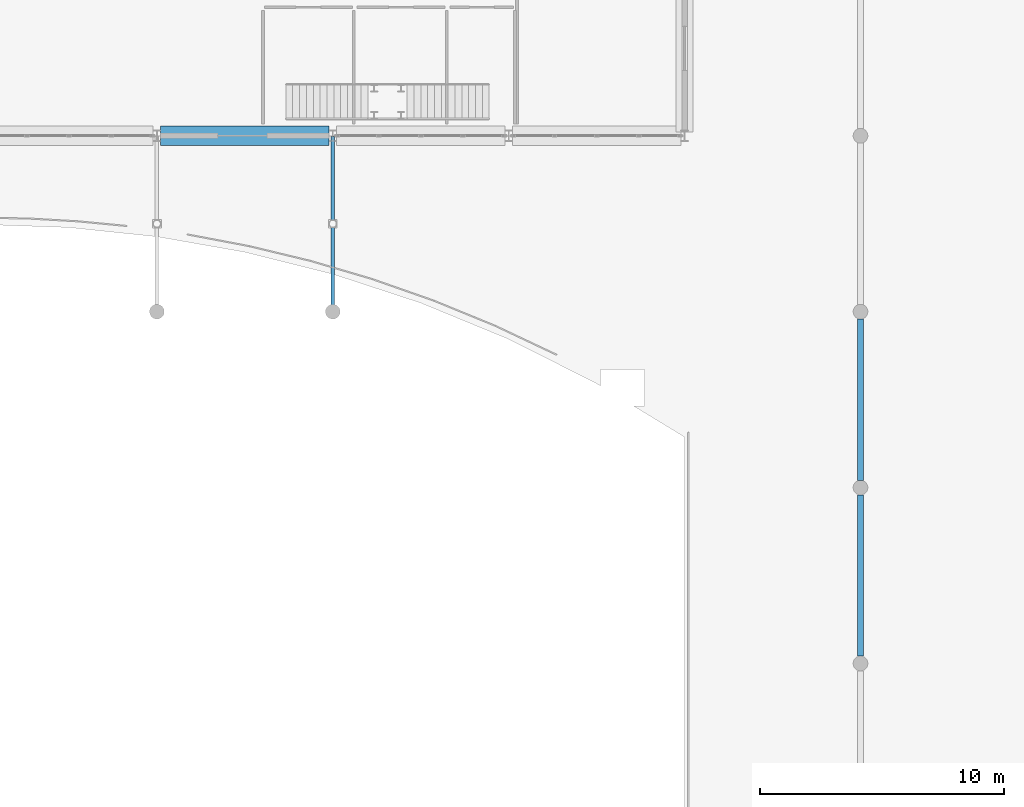
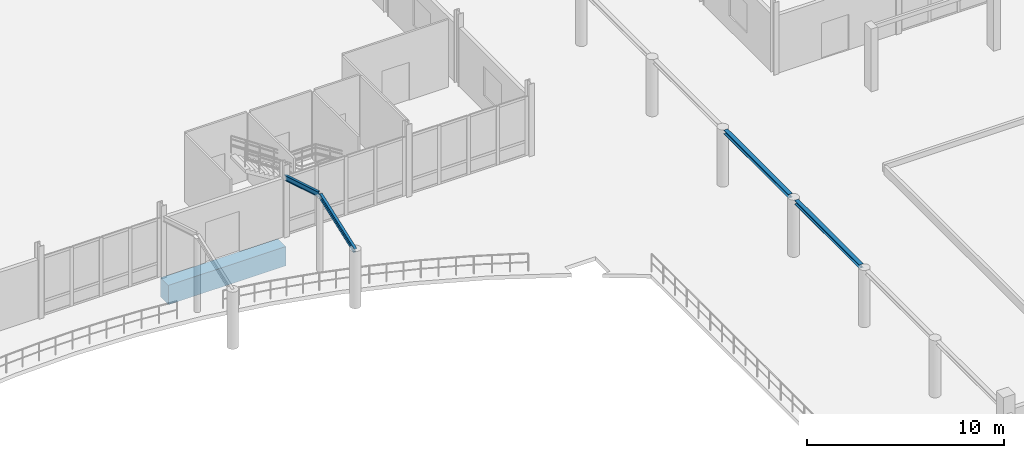
# One storey, part 41 of 139: 5 beams.
"""IFC4 building model written with IfcOpenShell, lengths in metres."""

from ifc_helpers import new_model, si_unit, direction, frame, origin, origin_2d, place, context, subcontext, project, spatial, rectangle, i_section, extrude, material, material_profile, profile_set, type_object, element, save


model = new_model("IFC4")

# Units and contexts
model_context = context("Model", 3, precision=1e-05, world=origin(), true_north=direction((0.0, 1.0)))
body_context = subcontext(model_context, "Body", "Model", "MODEL_VIEW")
ifc_project = project(units=[si_unit("LENGTHUNIT", "METRE"), si_unit("AREAUNIT", "SQUARE_METRE"), si_unit("VOLUMEUNIT", "CUBIC_METRE"), si_unit("PLANEANGLEUNIT", "RADIAN"), si_unit("MASSUNIT", "GRAM", prefix="KILO")], contexts=[model_context])

# Site, building, storey
site_placement = place(None, origin())
site = spatial("IfcSite", under=ifc_project, at=site_placement, CompositionType="ELEMENT")
building_placement = place(site_placement, origin())
building = spatial("IfcBuilding", under=site, at=building_placement, Name="Suanplinth Sawtooth Commons", CompositionType="ELEMENT")
storey_placement = place(building_placement, origin())
storey = spatial("IfcBuildingStorey", under=building, at=storey_placement, Name="L00", CompositionType="ELEMENT", Elevation=0.0)

# Beams
ifc_material_1 = material(Name="Concrete C40/50", Category="concrete")
ifc_material_profile_1 = material_profile(ifc_material_1, rectangle(XDim=0.800048828125, YDim=1.199951171875, at=origin_2d()), Name="RC-TG 800x1200")
ifc_profile_set_1 = profile_set([ifc_material_profile_1], Name="Concrete C40/50")
beam_type_1 = type_object("IfcBeamType", Name="B-01", PredefinedType="USERDEFINED", material=ifc_profile_set_1)
beam_1_placement = place(storey_placement, frame((93.75, 50.39990234375, -1.010009765625), z_axis=(1.0, 0.0, 0.0), x_axis=(0.0, 1.0, 0.0)))
element("IfcBeam", 1, at=beam_1_placement, inside=storey, type_object=beam_type_1, Name="BMX-L00-HALL-13-7", ObjectType="GIRDER", PredefinedType="USERDEFINED", context=body_context, shape_type="SweptSolid", body=[
    extrude(rectangle(XDim=0.800048828125, YDim=1.199951171875, at=origin_2d()), origin(), (0.0, 0.0, 1.0), 6.89990234375),
])
ifc_material_2 = material(Name="Steel S355JR", Category="steel")
ifc_material_profile_2 = material_profile(ifc_material_2, i_section(OverallWidth=0.14990234375, OverallDepth=0.300048828125, WebThickness=0.007080078125, FlangeThickness=0.0107421875, at=origin_2d()), Name="IPE 300")
ifc_profile_set_2 = profile_set([ifc_material_profile_2], Name="Steel S355JR")
beam_type_2 = type_object("IfcBeamType", Name="B-13", PredefinedType="BEAM", material=ifc_profile_set_2)
beam_2_placement = place(storey_placement, frame((100.800048828125, 43.199951171875, 3.39990234375), z_axis=(0.0, 0.939016081752, 0.343873229856), x_axis=(-1.0, 0.0, 0.0)))
element("IfcBeam", 2, at=beam_2_placement, inside=storey, type_object=beam_type_2, Name="Metro Portal Rafter S 15", PredefinedType="BEAM", context=body_context, shape_type="SweptSolid", body=[
    extrude(i_section(OverallWidth=0.14990234375, OverallDepth=0.300048828125, WebThickness=0.007080078125, FlangeThickness=0.0107421875, at=origin_2d()), origin(), (0.0, 0.0, 1.0), 3.780517578125),
])
beam_3_placement = place(storey_placement, frame((100.800048828125, 50.320068359375, 3.64990234375), z_axis=(0.0, -0.957135909973, 0.2896391718), x_axis=(1.0, 0.0, 0.0)))
element("IfcBeam", 3, at=beam_3_placement, inside=storey, type_object=beam_type_2, Name="Metro Portal Rafter N 15", PredefinedType="BEAM", context=body_context, shape_type="SweptSolid", body=[
    extrude(i_section(OverallWidth=0.14990234375, OverallDepth=0.300048828125, WebThickness=0.007080078125, FlangeThickness=0.0107421875, at=origin_2d()), origin(), (0.0, 0.0, 1.0), 3.62548828125),
])
ifc_material_profile_3 = material_profile(ifc_material_2, i_section(OverallWidth=0.239990234375, OverallDepth=0.22998046875, WebThickness=0.007568359375, FlangeThickness=0.011962890625, at=origin_2d()), Name="HEA 240")
ifc_profile_set_3 = profile_set([ifc_material_profile_3], Name="Steel S355JR")
beam_type_3 = type_object("IfcBeamType", Name="B-17", PredefinedType="BEAM", material=ifc_profile_set_3)
for number, where, z_axis, x_axis, name in (
    (4, (122.39990234375, 29.10009765625, 3.43505859375), (0.0, 1.0, 0.0), (-1.0, 0.0, 0.0), "BM-EBZ-SPINE-4"),
    (5, (122.39990234375, 36.300048828125, 3.43505859375), (0.0, 1.0, 0.0), (-1.0, 0.0, 0.0), "BM-EBZ-SPINE-5"),
):
    element("IfcBeam", number, at=place(storey_placement, frame(where, z_axis=z_axis, x_axis=x_axis)), inside=storey, type_object=beam_type_3, Name=name, PredefinedType="BEAM", context=body_context, shape_type="SweptSolid", body=[
        extrude(i_section(OverallWidth=0.239990234375, OverallDepth=0.22998046875, WebThickness=0.007568359375, FlangeThickness=0.011962890625, at=origin_2d()), origin(), (0.0, 0.0, 1.0), 6.599853515625),
    ])

save(model, "model.ifc")
